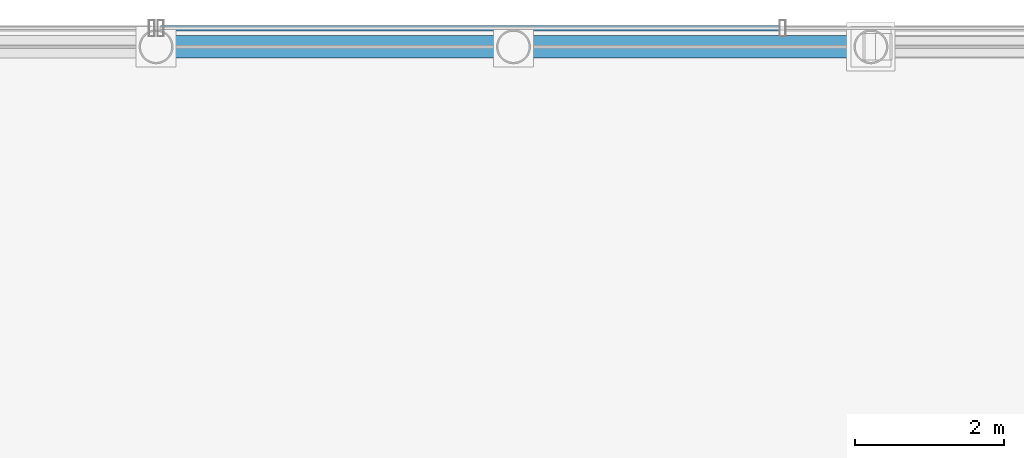
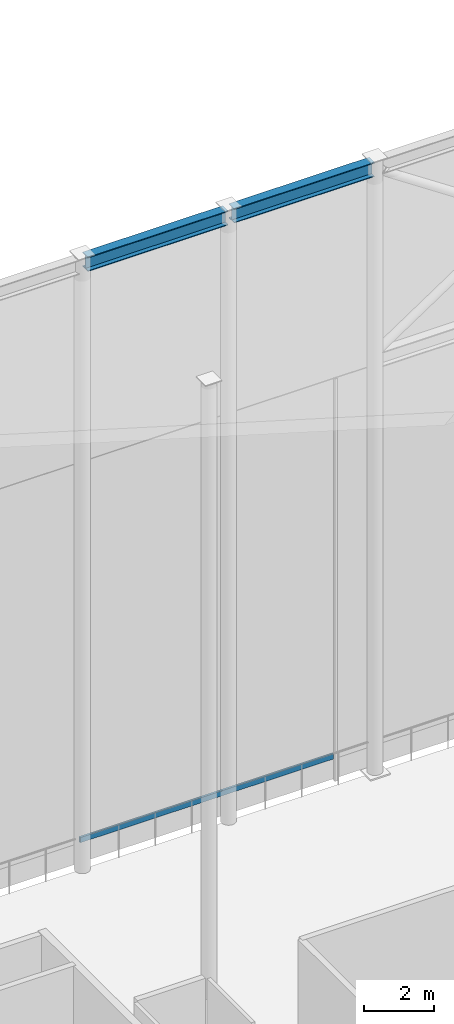
# One storey, part 29 of 42: 2 beams, 1 member, 1 element without a shape of its own.
"""IFC4 building model written with IfcOpenShell, lengths in metres."""

from ifc_helpers import new_model, si_unit, direction, frame, origin, origin_2d, place, context, subcontext, project, spatial, hollow_rectangle, i_section, extrude, material, layer, layer_set, material_profile, profile_set, type_object, element, aggregate, save


model = new_model("IFC4")

# Units and contexts
model_context = context("Model", 3, precision=1e-05, world=origin(), true_north=direction((0.0, 1.0)))
body_context = subcontext(model_context, "Body", "Model", "MODEL_VIEW")
ifc_project = project(units=[si_unit("LENGTHUNIT", "METRE"), si_unit("AREAUNIT", "SQUARE_METRE"), si_unit("VOLUMEUNIT", "CUBIC_METRE"), si_unit("PLANEANGLEUNIT", "RADIAN"), si_unit("MASSUNIT", "GRAM", prefix="KILO")], contexts=[model_context])

# Site, building, storey
site_placement = place(None, origin())
site = spatial("IfcSite", under=ifc_project, at=site_placement, CompositionType="ELEMENT")
building_placement = place(site_placement, origin())
building = spatial("IfcBuilding", under=site, at=building_placement, Name="Kallvorn Hotel Tower", CompositionType="ELEMENT")
storey_placement = place(building_placement, frame((0.0, 0.0, 306.0)))
storey = spatial("IfcBuildingStorey", under=building, at=storey_placement, Name="ROOF", CompositionType="ELEMENT", Elevation=306.0)

# Beams
ifc_material_1 = material(Name="Structural steel S355JR", Category="steel")
ifc_material_profile_1 = material_profile(ifc_material_1, i_section(OverallWidth=0.300048828125, OverallDepth=0.5, WebThickness=0.014404296875, FlangeThickness=0.028076171875, at=origin_2d()), Name="HE 500 B")
ifc_profile_set_1 = profile_set([ifc_material_profile_1], Name="Structural steel S355JR")
beam_type = type_object("IfcBeamType", Name="BM_HE500B", PredefinedType="SPANDREL", material=ifc_profile_set_1)
for number, where, z_axis, x_axis, name in (
    (1, (-4.699951171875, 14.39990234375, 21.030029296875), (1.0, 0.0, 0.0), (0.0, 1.0, 0.0), "CROWN FRAME Top Ring Beam 14"),
    (2, (0.10009765625, 14.39990234375, 21.030029296875), (1.0, 0.0, 0.0), (0.0, 1.0, 0.0), "CROWN FRAME Top Ring Beam 15"),
):
    element("IfcBeam", number, at=place(storey_placement, frame(where, z_axis=z_axis, x_axis=x_axis)), inside=storey, type_object=beam_type, Name=name, PredefinedType="SPANDREL", context=body_context, shape_type="SweptSolid", body=[
        extrude(i_section(OverallWidth=0.300048828125, OverallDepth=0.5, WebThickness=0.014404296875, FlangeThickness=0.028076171875, at=origin_2d()), origin(), (0.0, 0.0, 1.0), 4.599853515625),
    ])

# Curtain wall, member
ifc_material_2 = material(Name="Thermally broken black-anodised aluminium AA 6063-T6", Category="aluminium")
ifc_layer = layer(ifc_material_2, 0.18994140625)
ifc_layer_set = layer_set([ifc_layer], Name="CW_SYS_7_CROWN_DRUM")
curtain_wall_type = type_object("IfcCurtainWallType", Name="CW_SYS_7_CROWN_DRUM", PredefinedType="USERDEFINED", material=ifc_layer_set)
curtain_wall_placement = place(storey_placement, origin())
curtain_wall = element("IfcCurtainWall", 3, at=curtain_wall_placement, inside=storey, type_object=curtain_wall_type, Name="ROOF Dark-Glass Curtain Wall CW-ROOF-N2", ObjectType="UNITISED CURTAIN WALL", PredefinedType="USERDEFINED")
ifc_material_3 = material(Name="Thermally broken black-anodised aluminium AA 6063-T6", Category="aluminium")
ifc_material_profile_2 = material_profile(ifc_material_3, hollow_rectangle(XDim=0.070068359375, YDim=0.179931640625, WallThickness=0.00390625, at=origin_2d()), Name="TRN 180x70")
ifc_profile_set_2 = profile_set([ifc_material_profile_2], Name="Thermally broken black-anodised aluminium AA 6063-T6")
member_type = type_object("IfcMemberType", Name="CW_TRANSOM_180x70", PredefinedType="USERDEFINED", material=ifc_profile_set_2)
member_placement = place(storey_placement, frame((-4.739990234375, 14.64990234375, 0.85009765625), z_axis=(1.0, 0.0, 0.0), x_axis=(0.0, 1.0, 0.0)))
member = element("IfcMember", 4, at=member_placement, type_object=member_type, Name="CW-ROOF-N2 Transom 00M", ObjectType="TRANSOM", PredefinedType="USERDEFINED", context=body_context, shape_type="SweptSolid", body=[
    extrude(hollow_rectangle(XDim=0.070068359375, YDim=0.179931640625, WallThickness=0.00390625, at=origin_2d()), origin(), (0.0, 0.0, 1.0), 8.313232421875),
])
aggregate(curtain_wall, [member])

save(model, "model.ifc")
